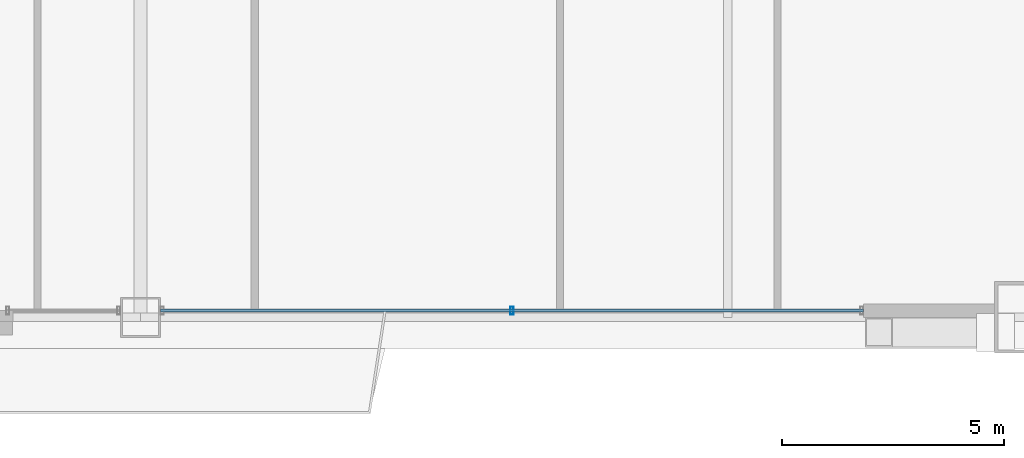
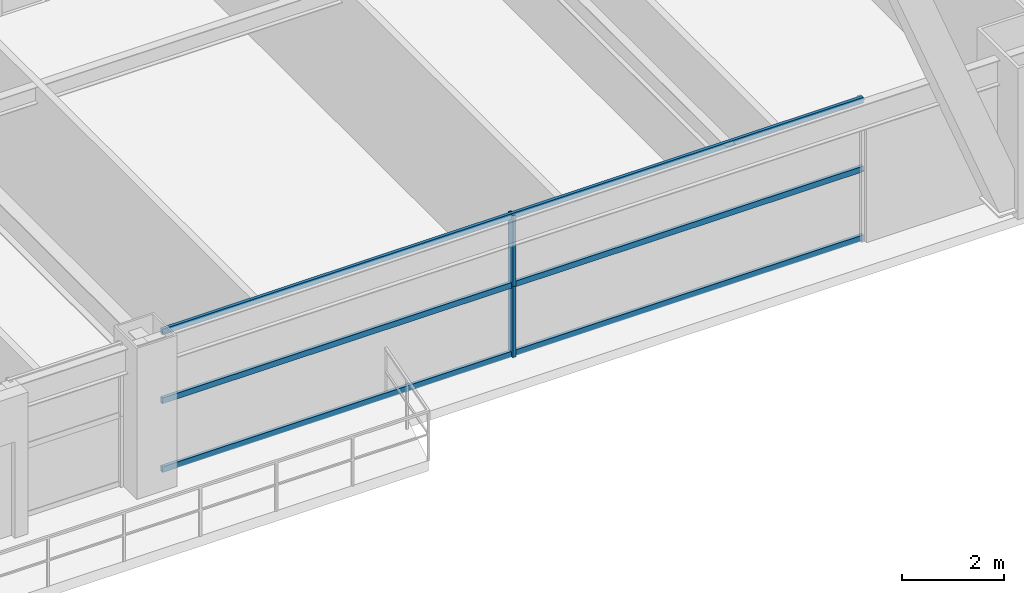
# One storey, part 14 of 43: 5 members, 1 element without a shape of its own.
"""IFC4 building model written with IfcOpenShell, lengths in metres."""

import ifcopenshell
import ifcopenshell.guid

model = None  # the IFC model being written
_history = None  # IfcOwnerHistory: only IFC2X3 demands one
_inside = {}  # id of a spatial element -> (the spatial element, [elements in it])
_under = {}  # id of a project, library or spatial element -> (it, [spatial elements below it])
_declared = {}  # id of a project -> (the project, [libraries it declares])
_typed = {}  # id of a type object -> (the type object, [elements of that type])
_made_of = {}  # id of a material, layer set ... -> (it, [elements and type objects made of it])


def new_model(schema):
    """Start an empty IFC model of exactly this schema.

    Asked for "IFC4X3", IfcOpenShell would pick the latest addendum, in which some entities
    have other attributes; the version numbers below select the first issue.
    IFC2X3 requires an IfcOwnerHistory on every rooted entity: one is made here for all.
    """
    global model, _history
    if schema == "IFC4X3":
        model = ifcopenshell.file(schema_version=(4, 3, 0, 0))
    else:
        model = ifcopenshell.file(schema=schema)
    _inside.clear()
    _under.clear()
    _declared.clear()
    _typed.clear()
    _made_of.clear()
    _history = None
    if model.schema == "IFC2X3":
        org = make("IfcOrganization", Name="unknown")
        user = make(
            "IfcPersonAndOrganization",
            ThePerson=make("IfcPerson", FamilyName="unknown"),
            TheOrganization=org,
        )
        app = make(
            "IfcApplication",
            ApplicationDeveloper=org,
            Version="unknown",
            ApplicationFullName="unknown",
            ApplicationIdentifier="unknown",
        )
        _history = make(
            "IfcOwnerHistory",
            OwningUser=user,
            OwningApplication=app,
            ChangeAction="ADDED",
            CreationDate=0,
        )
    return model


def make(cls, **values):
    """One entity of the class cls with the attributes given. An attribute that is None is left unset."""
    return model.create_entity(
        cls, **{name: value for name, value in values.items() if value is not None}
    )


def rooted(cls, **values):
    """An entity with a GlobalId (a new one), such as an element, a storey or a relation."""
    return make(cls, GlobalId=ifcopenshell.guid.new(), OwnerHistory=_history, **values)


def si_unit(unit_type, name, prefix=None):
    """IfcSIUnit, for example si_unit("LENGTHUNIT", "METRE", prefix="MILLI")."""
    return make("IfcSIUnit", UnitType=unit_type, Prefix=prefix, Name=name)


def assignment(units):
    """IfcUnitAssignment: the units of a project."""
    return None if units is None else make("IfcUnitAssignment", Units=units)


def point(xyz):
    """IfcCartesianPoint."""
    return None if xyz is None else make("IfcCartesianPoint", Coordinates=xyz)


def direction(xyz):
    """IfcDirection."""
    return None if xyz is None else make("IfcDirection", DirectionRatios=xyz)


def frame(location, z_axis=None, x_axis=None):
    """IfcAxis2Placement3D, a coordinate frame: its origin and axes. An axis left out is left unset."""
    return make(
        "IfcAxis2Placement3D",
        Location=point(location),
        Axis=direction(z_axis),
        RefDirection=direction(x_axis),
    )


def frame_2d(location, x_axis=None):
    """IfcAxis2Placement2D, a coordinate frame in the plane: its origin and x axis."""
    return make(
        "IfcAxis2Placement2D", Location=point(location), RefDirection=direction(x_axis)
    )


def origin():
    """The frame at (0, 0, 0) with its axes left unset."""
    return frame((0.0, 0.0, 0.0))


def origin_2d():
    """The frame at (0, 0) in the plane with its x axis left unset."""
    return frame_2d((0.0, 0.0))


def place(relative_to, where):
    """IfcLocalPlacement: puts the frame where relative to a parent placement (None: the world)."""
    return make(
        "IfcLocalPlacement", PlacementRelTo=relative_to, RelativePlacement=where
    )


def context(
    kind, dimensions, precision=None, world=None, true_north=None, identifier=None
):
    """IfcGeometricRepresentationContext, for example the 3D "Model" context."""
    return make(
        "IfcGeometricRepresentationContext",
        ContextIdentifier=identifier,
        ContextType=kind,
        CoordinateSpaceDimension=dimensions,
        Precision=precision,
        WorldCoordinateSystem=world,
        TrueNorth=true_north,
    )


def subcontext(parent, identifier, kind, view, scale=None):
    """IfcGeometricRepresentationSubContext, for example "Body" below "Model"."""
    return make(
        "IfcGeometricRepresentationSubContext",
        ContextIdentifier=identifier,
        ContextType=kind,
        ParentContext=parent,
        TargetScale=scale,
        TargetView=view,
    )


def project(units=None, contexts=None):
    """IfcProject with its units and contexts."""
    return rooted(
        "IfcProject",
        Name="project",
        RepresentationContexts=contexts,
        UnitsInContext=assignment(units),
    )


def spatial(cls, under=None, at=None, **own):
    """A site, building, storey or space (cls), placed at a placement, below another one or the project."""
    s = rooted(cls, ObjectPlacement=at, **own)
    if under is not None:
        _under.setdefault(under.id(), (under, []))[1].append(s)
    return s


def profile(cls, at=None, kind="AREA", **sizes):
    """A parametric profile (cls). Its sizes go by their IFC names, for example OverallWidth=200.0."""
    return make(cls, ProfileType=kind, Position=at, **sizes)


def hollow_rectangle(**sizes):
    """IfcRectangleHollowProfileDef."""
    return profile("IfcRectangleHollowProfileDef", **sizes)


def extrude(swept, where, along, depth):
    """IfcExtrudedAreaSolid: the profile swept, set in the frame where, extruded along a direction by depth."""
    return make(
        "IfcExtrudedAreaSolid",
        SweptArea=swept,
        Position=where,
        ExtrudedDirection=direction(along),
        Depth=depth,
    )


def shape(context_of_items, identifier, shape_type, items):
    """IfcShapeRepresentation: the items that make up one representation, for example the "Body"."""
    return make(
        "IfcShapeRepresentation",
        ContextOfItems=context_of_items,
        RepresentationIdentifier=identifier,
        RepresentationType=shape_type,
        Items=items,
    )


def source(mapping_origin, context_of_items, identifier, shape_type, items):
    """IfcRepresentationMap: a shape defined once, which mapped items show again and again."""
    return make(
        "IfcRepresentationMap",
        MappingOrigin=mapping_origin,
        MappedRepresentation=shape(context_of_items, identifier, shape_type, items),
    )


def transform(
    local_origin,
    x_axis=None,
    y_axis=None,
    z_axis=None,
    scale=None,
    scale2=None,
    scale3=None,
    uniform=True,
):
    """IfcCartesianTransformationOperator3D, or its non-uniform kind. x_axis, y_axis, z_axis: its Axis1, 2, 3."""
    if uniform:
        return make(
            "IfcCartesianTransformationOperator3D",
            Axis1=direction(x_axis),
            Axis2=direction(y_axis),
            LocalOrigin=point(local_origin),
            Scale=scale,
            Axis3=direction(z_axis),
        )
    return make(
        "IfcCartesianTransformationOperator3DnonUniform",
        Axis1=direction(x_axis),
        Axis2=direction(y_axis),
        LocalOrigin=point(local_origin),
        Scale=scale,
        Axis3=direction(z_axis),
        Scale2=scale2,
        Scale3=scale3,
    )


def mapped(mapping_source, mapping_target):
    """IfcMappedItem: shows the shape of a source again, moved by a transform."""
    return make(
        "IfcMappedItem", MappingSource=mapping_source, MappingTarget=mapping_target
    )


def material(Name=None, Category=None):
    """IfcMaterial."""
    return make("IfcMaterial", Name=Name, Category=Category)


def layer(
    of_material, thickness, ventilated=None, Name=None, Category=None, Priority=None
):
    """IfcMaterialLayer: one layer of a wall or slab, of a material (None: an air gap)."""
    return make(
        "IfcMaterialLayer",
        Material=of_material,
        LayerThickness=thickness,
        IsVentilated=ventilated,
        Name=Name,
        Category=Category,
        Priority=Priority,
    )


def layer_set(layers, Name=None):
    """IfcMaterialLayerSet."""
    return make("IfcMaterialLayerSet", MaterialLayers=layers, LayerSetName=Name)


def material_profile(
    of_material, cross_section, Name=None, Category=None, Priority=None
):
    """IfcMaterialProfile: a cross section and its material."""
    return make(
        "IfcMaterialProfile",
        Name=Name,
        Material=of_material,
        Profile=cross_section,
        Priority=Priority,
        Category=Category,
    )


def profile_set(profiles, Name=None, composite=None):
    """IfcMaterialProfileSet."""
    return make(
        "IfcMaterialProfileSet",
        Name=Name,
        MaterialProfiles=profiles,
        CompositeProfile=composite,
    )


def made_of(thing, what):
    """Note that an element or type object is made of a material, layer set ...; save() writes the relation."""
    if what is not None:
        _made_of.setdefault(what.id(), (what, []))[1].append(thing)
    return thing


def type_object(cls, material=None, **own):
    """A type object (cls), such as IfcWallType, which elements share."""
    return made_of(rooted(cls, **own), material)


def element(
    cls,
    number,
    at=None,
    inside=None,
    cuts=None,
    type_object=None,
    material=None,
    context=None,
    identifier="Body",
    shape_type=None,
    held_by="IfcProductDefinitionShape",
    body=None,
    shapes=None,
    **own,
):
    """One element of the class cls, such as IfcWall. Its Tag is "e" and its number.

    at: its placement. inside: the storey or other place that contains it. cuts: it is an
    opening in that element (IfcRelVoidsElement). A single representation is given by context,
    identifier, shape_type and body (its items); several are given by shapes. held_by: the class
    of the entity that holds the representations. save() writes the other relations.
    """
    e = rooted(cls, Tag="e%d" % number, ObjectPlacement=at, **own)
    if body is not None:
        shapes = [shape(context, identifier, shape_type, body)]
    if shapes is not None:
        e.Representation = make(held_by, Representations=shapes)
    if inside is not None:
        _inside.setdefault(inside.id(), (inside, []))[1].append(e)
    if cuts is not None:
        rooted(
            "IfcRelVoidsElement", RelatingBuildingElement=cuts, RelatedOpeningElement=e
        )
    if type_object is not None:
        _typed.setdefault(type_object.id(), (type_object, []))[1].append(e)
    return made_of(e, material)


def aggregate(whole, parts):
    """IfcRelAggregates: a whole, such as a stair, and the parts it consists of."""
    return rooted("IfcRelAggregates", RelatingObject=whole, RelatedObjects=parts)


def save(model, path):
    """Write the relations noted so far, then the file.

    IfcRelAggregates (storeys below a building ...), IfcRelContainedInSpatialStructure (elements
    in a storey), IfcRelDefinesByType, IfcRelAssociatesMaterial and IfcRelDeclares: one each for
    every whole, place, type object, material and project.
    """
    for whole, parts in _under.values():
        aggregate(whole, parts)
    for where, things in _inside.values():
        rooted(
            "IfcRelContainedInSpatialStructure",
            RelatedElements=things,
            RelatingStructure=where,
        )
    for kind, things in _typed.values():
        rooted("IfcRelDefinesByType", RelatedObjects=things, RelatingType=kind)
    for what, things in _made_of.values():
        rooted("IfcRelAssociatesMaterial", RelatedObjects=things, RelatingMaterial=what)
    for by, libraries in _declared.values():
        rooted("IfcRelDeclares", RelatingContext=by, RelatedDefinitions=libraries)
    model.write(path)


model = new_model("IFC4")

# Units and contexts
model_context = context("Model", 3, precision=1e-05, world=origin(), true_north=direction((0.0, 1.0)))
body_context = subcontext(model_context, "Body", "Model", "MODEL_VIEW")
ifc_project = project(units=[si_unit("LENGTHUNIT", "METRE"), si_unit("AREAUNIT", "SQUARE_METRE"), si_unit("VOLUMEUNIT", "CUBIC_METRE"), si_unit("PLANEANGLEUNIT", "RADIAN"), si_unit("MASSUNIT", "GRAM", prefix="KILO"), si_unit("THERMODYNAMICTEMPERATUREUNIT", "KELVIN"), si_unit("POWERUNIT", "WATT")], contexts=[model_context])

# Site, building, storey
site_placement = place(None, origin())
site = spatial("IfcSite", under=ifc_project, at=site_placement, CompositionType="ELEMENT")
building_placement = place(site_placement, origin())
building = spatial("IfcBuilding", under=site, at=building_placement, Name="Yuzanri Waterfront Tower", CompositionType="ELEMENT")
storey_placement = place(building_placement, frame((0.0, 0.0, 159.60009765625)))
storey = spatial("IfcBuildingStorey", under=building, at=storey_placement, Name="L42", CompositionType="ELEMENT", Elevation=159.60009765625)

# Curtain wall, members
ifc_material_1 = material(Name="Anodized Architectural Bronze", Category="metal")
ifc_layer = layer(ifc_material_1, 0.159912109375)
ifc_layer_set = layer_set([ifc_layer], Name="Anodized Architectural Bronze")
curtain_wall_type = type_object("IfcCurtainWallType", Name="Anodized Bronze Hotel Upper-Tier Solar-Control Unitized Curtain Wall 7800", PredefinedType="NOTDEFINED", material=ifc_layer_set)
curtain_wall_placement = place(storey_placement, origin())
curtain_wall = element("IfcCurtainWall", 1, at=curtain_wall_placement, inside=storey, type_object=curtain_wall_type, Name="L42 Curtain Wall CW-L42-SR", PredefinedType="NOTDEFINED")
ifc_material_2 = material(Name="Anodized Architectural Bronze", Category="metal")
ifc_material_profile_1 = material_profile(ifc_material_2, hollow_rectangle(XDim=0.070068359375, YDim=0.179931640625, WallThickness=0.00390625, at=origin_2d()), Name="CWM 70x180")
ifc_profile_set_1 = profile_set([ifc_material_profile_1], Name="Anodized Architectural Bronze")
member_type_1 = type_object("IfcMemberType", Name="Anodized Bronze Standard Curtain-Wall Mullion 70x180", PredefinedType="MULLION", material=ifc_profile_set_1)
shared_shape_1 = source(origin(), body_context, "Body", "SweptSolid", [
    extrude(hollow_rectangle(XDim=0.070068359375, YDim=0.179931640625, WallThickness=0.00390625, at=origin_2d()), origin(), (0.0, 0.0, 1.0), 1.68798828125),
])
member_1_placement = place(storey_placement, frame((45.35009765625, 2.35009765625, 0.0), z_axis=(0.0, 0.0, 1.0), x_axis=(1.0, 0.0, 0.0)))
member_1 = element("IfcMember", 2, at=member_1_placement, type_object=member_type_1, Name="CW-L42-SR Lower Mullion 01", PredefinedType="MULLION", context=body_context, shape_type="MappedRepresentation", body=[
    mapped(shared_shape_1, transform((0.0, 0.0, 0.0), scale=1.0)),
])
member_2_placement = place(storey_placement, frame((45.35009765625, 2.35009765625, 1.69189453125), z_axis=(0.0, 0.0, 1.0), x_axis=(1.0, 0.0, 0.0)))
member_2 = element("IfcMember", 3, at=member_2_placement, type_object=member_type_1, Name="CW-L42-SR Upper Mullion 01", PredefinedType="MULLION", context=body_context, shape_type="MappedRepresentation", body=[
    mapped(shared_shape_1, transform((0.0, 0.0, 0.0), scale=1.0)),
])
ifc_material_3 = material(Name="Anodized Architectural Bronze", Category="metal")
ifc_material_profile_2 = material_profile(ifc_material_3, hollow_rectangle(XDim=0.070068359375, YDim=0.135009765625, WallThickness=0.00341796875, at=origin_2d()), Name="CWT 70x135")
ifc_profile_set_2 = profile_set([ifc_material_profile_2], Name="Anodized Architectural Bronze")
member_type_2 = type_object("IfcMemberType", Name="Anodized Bronze Standard Curtain-Wall Transom 70x135", PredefinedType="USERDEFINED", material=ifc_profile_set_2)
shared_shape_2 = source(origin(), body_context, "Body", "SweptSolid", [
    extrude(hollow_rectangle(XDim=0.070068359375, YDim=0.135009765625, WallThickness=0.00341796875, at=origin_2d()), origin(), (0.0, 0.0, 1.0), 15.800048828125),
])
member_3_placement = place(storey_placement, frame((37.449951171875, 2.35009765625, 0.0498046875), z_axis=(1.0, 0.0, 0.0), x_axis=(0.0, 1.0, 0.0)))
member_3 = element("IfcMember", 4, at=member_3_placement, type_object=member_type_2, Name="CW-L42-SR Transom 1", ObjectType="TRANSOM", PredefinedType="USERDEFINED", context=body_context, shape_type="MappedRepresentation", body=[
    mapped(shared_shape_2, transform((0.0, 0.0, 0.0), scale=1.0)),
])
member_4_placement = place(storey_placement, frame((37.449951171875, 2.35009765625, 1.68994140625), z_axis=(1.0, 0.0, 0.0), x_axis=(0.0, 1.0, 0.0)))
member_4 = element("IfcMember", 5, at=member_4_placement, type_object=member_type_2, Name="CW-L42-SR Transom 2", ObjectType="TRANSOM", PredefinedType="USERDEFINED", context=body_context, shape_type="MappedRepresentation", body=[
    mapped(shared_shape_2, transform((0.0, 0.0, 0.0), scale=1.0)),
])
member_5_placement = place(storey_placement, frame((37.449951171875, 2.35009765625, 3.329833984375), z_axis=(1.0, 0.0, 0.0), x_axis=(0.0, 1.0, 0.0)))
member_5 = element("IfcMember", 6, at=member_5_placement, type_object=member_type_2, Name="CW-L42-SR Transom 3", ObjectType="TRANSOM", PredefinedType="USERDEFINED", context=body_context, shape_type="MappedRepresentation", body=[
    mapped(shared_shape_2, transform((0.0, 0.0, 0.0), scale=1.0)),
])
aggregate(curtain_wall, [member_1, member_2, member_3, member_4, member_5])

save(model, "model.ifc")
